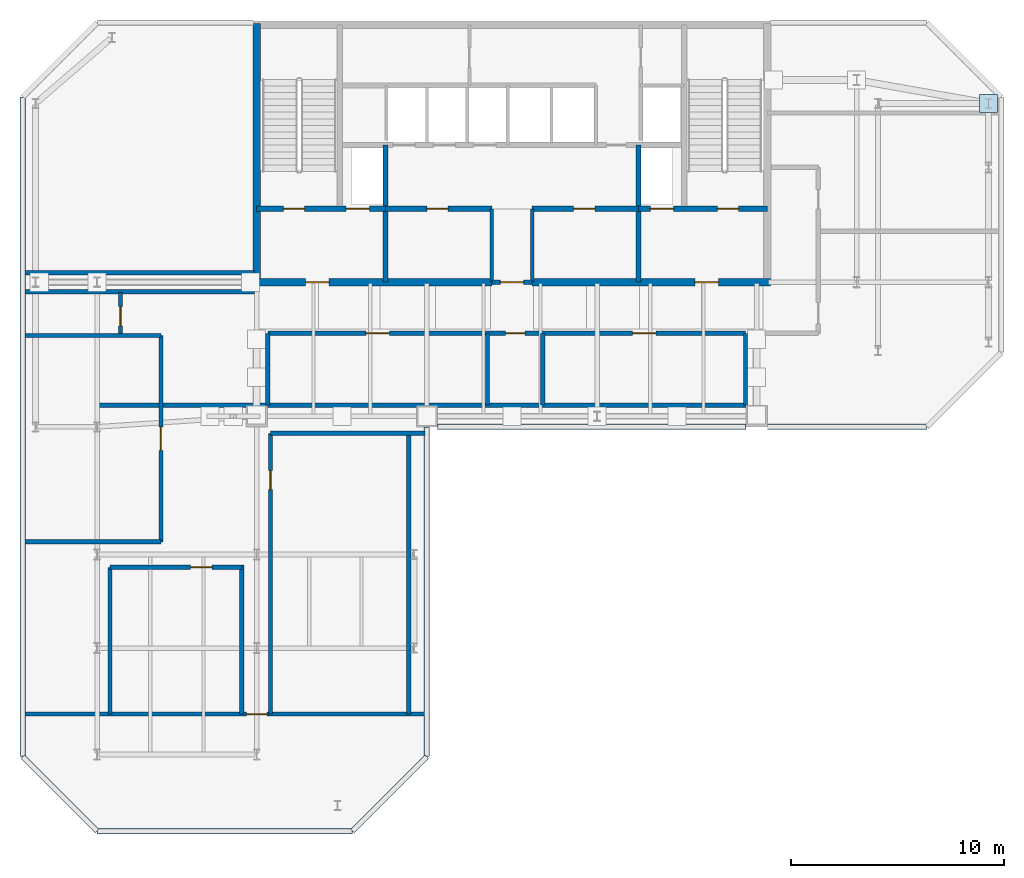
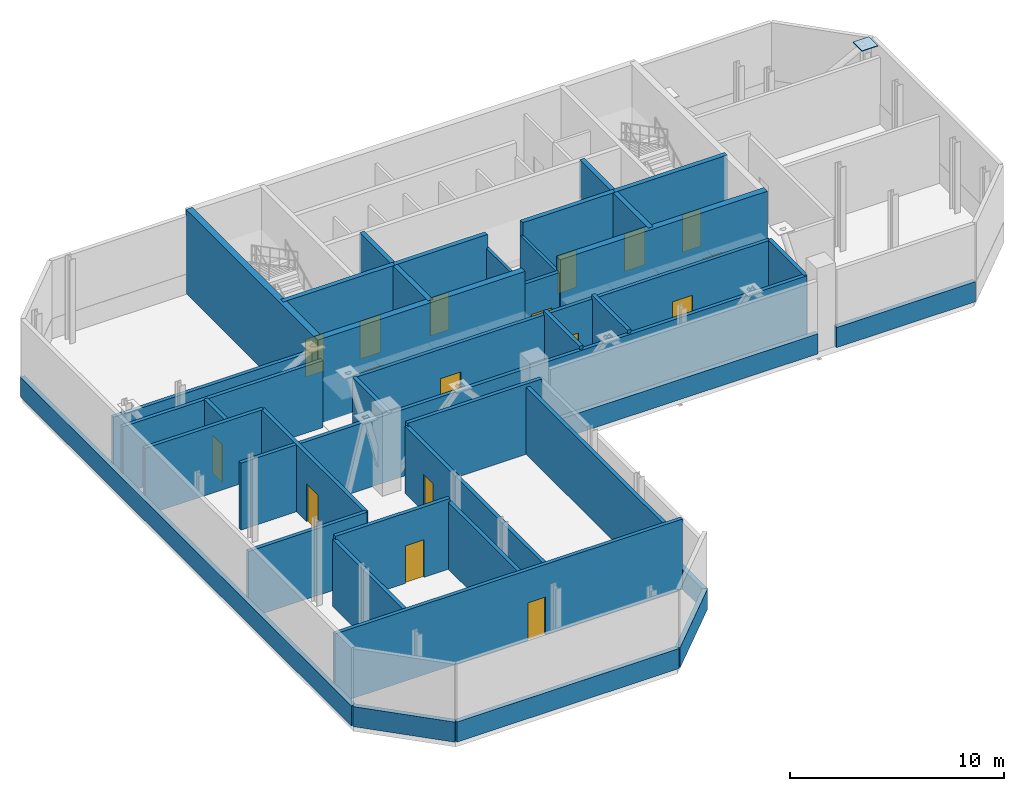
# One storey, part 4 of 7: 38 walls, 17 doors, 1 plate, 17 openings.
"""IFC4 building model written with IfcOpenShell, lengths in metres."""

from ifc_helpers import new_model, si_unit, direction, frame, frame_2d, origin, origin_2d, place, context, subcontext, project, spatial, rectangle, extrude, material, layer, layer_set, type_object, element, fill, save


model = new_model("IFC4")

# Units and contexts
model_context = context("Model", 3, precision=1e-05, world=origin(), true_north=direction((0.0, 1.0)))
body_context = subcontext(model_context, "Body", "Model", "MODEL_VIEW")
ifc_project = project(units=[si_unit("LENGTHUNIT", "METRE"), si_unit("AREAUNIT", "SQUARE_METRE"), si_unit("VOLUMEUNIT", "CUBIC_METRE"), si_unit("PLANEANGLEUNIT", "RADIAN"), si_unit("MASSUNIT", "GRAM", prefix="KILO")], contexts=[model_context])

# Site, building, storey
site_placement = place(None, origin())
site = spatial("IfcSite", under=ifc_project, at=site_placement, CompositionType="ELEMENT")
building_placement = place(site_placement, origin())
building = spatial("IfcBuilding", under=site, at=building_placement, Name="Catumbela Crestline Tower", CompositionType="ELEMENT")
storey_placement = place(building_placement, frame((0.0, 0.0, 208.2)))
storey = spatial("IfcBuildingStorey", under=building, at=storey_placement, Name="L54", CompositionType="ELEMENT", Elevation=208.2)

# Plate
ifc_material_1 = material(Name="Structural steel S460M", Category="steel")
ifc_layer_1 = layer(ifc_material_1, 0.04, Name="Structural steel S460M")
ifc_layer_set_1 = layer_set([ifc_layer_1], Name="Structural steel S460M")
plate_type = type_object("IfcPlateType", Name="GP-40", PredefinedType="USERDEFINED", material=ifc_layer_set_1)
plate_placement = place(storey_placement, frame((50.4, 39.2, 4.4), z_axis=(0.0, 0.0, 1.0), x_axis=(1.0, 0.0, 0.0)))
element("IfcPlate", 1, at=plate_placement, inside=storey, type_object=plate_type, Name="L54 Outrigger Node Gusset Plate OU-LE2-END", ObjectType="GUSSET", PredefinedType="USERDEFINED", context=body_context, shape_type="SweptSolid", body=[
    extrude(rectangle(XDim=0.85, YDim=0.85, at=origin_2d()), origin(), (0.0, 0.0, 1.0), 0.04),
])

# Walls
ifc_material_2 = material(Name="Concrete C50/60", Category="concrete")
ifc_layer_2 = layer(ifc_material_2, 0.25, Name="Concrete C50/60")
ifc_layer_set_2 = layer_set([ifc_layer_2], Name="Concrete C50/60")
wall_type_1 = type_object("IfcWallType", Name="CW-250D", PredefinedType="SHEAR", material=ifc_layer_set_2)
for number, where, z_axis, x_axis, name in (
    (2, (22.05, 30.8, 0.0), (0.0, 0.0, 1.0), (0.0, 1.0, 0.0), "L54 Structural Core Shear Wall FFW"),
    (3, (33.95, 30.8, 0.0), (0.0, 0.0, 1.0), (0.0, 1.0, 0.0), "L54 Structural Core Shear Wall FFE"),
):
    element("IfcWall", number, at=place(storey_placement, frame(where, z_axis=z_axis, x_axis=x_axis)), inside=storey, type_object=wall_type_1, Name=name, PredefinedType="SHEAR", context=body_context, shape_type="SweptSolid", body=[
        extrude(rectangle(XDim=6.45, YDim=0.25, at=frame_2d((3.225, 0.0))), origin(), (0.0, 0.0, 1.0), 4.8),
    ])

# Wall, openings, doors
wall_1_placement = place(storey_placement, frame((16.0, 34.25, 0.0), z_axis=(0.0, 0.0, 1.0), x_axis=(1.0, 0.0, 0.0)))
wall_1 = element("IfcWall", 4, at=wall_1_placement, inside=storey, type_object=wall_type_1, Name="L54 Structural Core Shear Wall ST1S", PredefinedType="SHEAR", context=body_context, shape_type="SweptSolid", body=[
    extrude(rectangle(XDim=6.05, YDim=0.25, at=frame_2d((3.025, 0.0))), origin(), (0.0, 0.0, 1.0), 4.8),
])
opening_1_placement = place(wall_1_placement, frame((1.25, 0.0, 0.0)))
opening_1 = element("IfcOpeningElement", 5, at=opening_1_placement, cuts=wall_1, Name="Opening DF9-100", PredefinedType="OPENING", context=body_context, shape_type="SweptSolid", body=[
    extrude(rectangle(XDim=1.0, YDim=2.15, at=frame_2d((0.5, 1.075))), frame((0.0, 0.135, 0.0), z_axis=(0.0, -1.0, 0.0), x_axis=(1.0, 0.0, 0.0)), (0.0, 0.0, 1.0), 0.27),
])
opening_2_placement = place(wall_1_placement, frame((4.2, 0.0, 0.0)))
opening_2 = element("IfcOpeningElement", 6, at=opening_2_placement, cuts=wall_1, Name="Opening LD-110", PredefinedType="OPENING", context=body_context, shape_type="SweptSolid", body=[
    extrude(rectangle(XDim=1.1, YDim=2.15, at=frame_2d((0.55, 1.075))), frame((0.0, 0.135, 0.0), z_axis=(0.0, -1.0, 0.0), x_axis=(1.0, 0.0, 0.0)), (0.0, 0.0, 1.0), 0.27),
])
ifc_material_3 = material(Name="Stainless steel EN 1.4401", Category="steel")
door_type_1 = type_object("IfcDoorType", Name="DF9-100", OperationType="NOTDEFINED", PredefinedType="DOOR", material=ifc_material_3)
door_1_placement = place(opening_1_placement, origin())
door_1 = element("IfcDoor", 7, at=door_1_placement, inside=storey, type_object=door_type_1, Name="L54 Interior Door DR-L54-ST01", OperationType="SINGLE_SWING_LEFT", OverallHeight=2.15, OverallWidth=1.0, PredefinedType="DOOR", context=body_context, shape_type="SweptSolid", body=[
    extrude(rectangle(XDim=1.0, YDim=2.15, at=frame_2d((0.5, 1.075))), frame((0.0, 0.025, 0.0), z_axis=(0.0, -1.0, 0.0), x_axis=(1.0, 0.0, 0.0)), (0.0, 0.0, 1.0), 0.05),
])
fill(opening_1, door_1)
door_type_2 = type_object("IfcDoorType", Name="LD-110", OperationType="NOTDEFINED", PredefinedType="DOOR", material=ifc_material_3)
door_2_placement = place(opening_2_placement, origin())
door_2 = element("IfcDoor", 8, at=door_2_placement, inside=storey, type_object=door_type_2, Name="L54 Lift Landing Sliding Door FL-01", OperationType="DOUBLE_DOOR_SLIDING", OverallHeight=2.15, OverallWidth=1.1, PredefinedType="DOOR", context=body_context, shape_type="SweptSolid", body=[
    extrude(rectangle(XDim=1.1, YDim=2.15, at=frame_2d((0.55, 1.075))), frame((0.0, 0.025, 0.0), z_axis=(0.0, -1.0, 0.0), x_axis=(1.0, 0.0, 0.0)), (0.0, 0.0, 1.0), 0.05),
])
fill(opening_2, door_2)

wall_2_placement = place(storey_placement, frame((33.95, 34.25, 0.0), z_axis=(0.0, 0.0, 1.0), x_axis=(1.0, 0.0, 0.0)))
wall_2 = element("IfcWall", 9, at=wall_2_placement, inside=storey, type_object=wall_type_1, Name="L54 Structural Core Shear Wall ST2S", PredefinedType="SHEAR", context=body_context, shape_type="SweptSolid", body=[
    extrude(rectangle(XDim=6.05, YDim=0.25, at=frame_2d((3.025, 0.0))), origin(), (0.0, 0.0, 1.0), 4.8),
])
opening_3_placement = place(wall_2_placement, frame((3.7, 0.0, 0.0)))
opening_3 = element("IfcOpeningElement", 10, at=opening_3_placement, cuts=wall_2, Name="Opening DF9-100", PredefinedType="OPENING", context=body_context, shape_type="SweptSolid", body=[
    extrude(rectangle(XDim=1.0, YDim=2.15, at=frame_2d((0.5, 1.075))), frame((0.0, 0.135, 0.0), z_axis=(0.0, -1.0, 0.0), x_axis=(1.0, 0.0, 0.0)), (0.0, 0.0, 1.0), 0.27),
])
opening_4_placement = place(wall_2_placement, frame((0.55, 0.0, 0.0)))
opening_4 = element("IfcOpeningElement", 11, at=opening_4_placement, cuts=wall_2, Name="Opening LD-110", PredefinedType="OPENING", context=body_context, shape_type="SweptSolid", body=[
    extrude(rectangle(XDim=1.1, YDim=2.15, at=frame_2d((0.55, 1.075))), frame((0.0, 0.135, 0.0), z_axis=(0.0, -1.0, 0.0), x_axis=(1.0, 0.0, 0.0)), (0.0, 0.0, 1.0), 0.27),
])
door_3_placement = place(opening_3_placement, origin())
door_3 = element("IfcDoor", 12, at=door_3_placement, inside=storey, type_object=door_type_1, Name="L54 Interior Door DR-L54-ST02", OperationType="SINGLE_SWING_RIGHT", OverallHeight=2.15, OverallWidth=1.0, PredefinedType="DOOR", context=body_context, shape_type="SweptSolid", body=[
    extrude(rectangle(XDim=1.0, YDim=2.15, at=frame_2d((0.5, 1.075))), frame((0.0, 0.025, 0.0), z_axis=(0.0, -1.0, 0.0), x_axis=(1.0, 0.0, 0.0)), (0.0, 0.0, 1.0), 0.05),
])
fill(opening_3, door_3)
door_4_placement = place(opening_4_placement, origin())
door_4 = element("IfcDoor", 13, at=door_4_placement, inside=storey, type_object=door_type_2, Name="L54 Lift Landing Sliding Door FL-02", OperationType="DOUBLE_DOOR_SLIDING", OverallHeight=2.15, OverallWidth=1.1, PredefinedType="DOOR", context=body_context, shape_type="SweptSolid", body=[
    extrude(rectangle(XDim=1.1, YDim=2.15, at=frame_2d((0.55, 1.075))), frame((0.0, 0.025, 0.0), z_axis=(0.0, -1.0, 0.0), x_axis=(1.0, 0.0, 0.0)), (0.0, 0.0, 1.0), 0.05),
])
fill(opening_4, door_4)

# Wall, opening, door
wall_3_placement = place(storey_placement, frame((22.05, 34.25, 0.0), z_axis=(0.0, 0.0, 1.0), x_axis=(1.0, 0.0, 0.0)))
wall_3 = element("IfcWall", 14, at=wall_3_placement, inside=storey, type_object=wall_type_1, Name="L54 Structural Core Shear Wall LIFTS-W", PredefinedType="SHEAR", context=body_context, shape_type="SweptSolid", body=[
    extrude(rectangle(XDim=5.0, YDim=0.25, at=frame_2d((2.5, 0.0))), origin(), (0.0, 0.0, 1.0), 4.8),
])
opening_5_placement = place(wall_3_placement, frame((1.95, 0.0, 0.0)))
opening_5 = element("IfcOpeningElement", 15, at=opening_5_placement, cuts=wall_3, Name="Opening DF9-100", PredefinedType="OPENING", context=body_context, shape_type="SweptSolid", body=[
    extrude(rectangle(XDim=1.0, YDim=2.15, at=frame_2d((0.5, 1.075))), frame((0.0, 0.135, 0.0), z_axis=(0.0, -1.0, 0.0), x_axis=(1.0, 0.0, 0.0)), (0.0, 0.0, 1.0), 0.27),
])
door_5_placement = place(opening_5_placement, origin())
door_5 = element("IfcDoor", 16, at=door_5_placement, inside=storey, type_object=door_type_1, Name="L54 Interior Door DR-L54-RECL1", OperationType="SINGLE_SWING_LEFT", OverallHeight=2.15, OverallWidth=1.0, PredefinedType="DOOR", context=body_context, shape_type="SweptSolid", body=[
    extrude(rectangle(XDim=1.0, YDim=2.15, at=frame_2d((0.5, 1.075))), frame((0.0, 0.025, 0.0), z_axis=(0.0, -1.0, 0.0), x_axis=(1.0, 0.0, 0.0)), (0.0, 0.0, 1.0), 0.05),
])
fill(opening_5, door_5)

wall_4_placement = place(storey_placement, frame((28.95, 34.25, 0.0), z_axis=(0.0, 0.0, 1.0), x_axis=(1.0, 0.0, 0.0)))
wall_4 = element("IfcWall", 17, at=wall_4_placement, inside=storey, type_object=wall_type_1, Name="L54 Structural Core Shear Wall LIFTS-E", PredefinedType="SHEAR", context=body_context, shape_type="SweptSolid", body=[
    extrude(rectangle(XDim=5.0, YDim=0.25, at=frame_2d((2.5, 0.0))), origin(), (0.0, 0.0, 1.0), 4.8),
])
opening_6_placement = place(wall_4_placement, frame((1.95, 0.0, 0.0)))
opening_6 = element("IfcOpeningElement", 18, at=opening_6_placement, cuts=wall_4, Name="Opening DF9-100", PredefinedType="OPENING", context=body_context, shape_type="SweptSolid", body=[
    extrude(rectangle(XDim=1.0, YDim=2.15, at=frame_2d((0.5, 1.075))), frame((0.0, 0.135, 0.0), z_axis=(0.0, -1.0, 0.0), x_axis=(1.0, 0.0, 0.0)), (0.0, 0.0, 1.0), 0.27),
])
door_6_placement = place(opening_6_placement, origin())
door_6 = element("IfcDoor", 19, at=door_6_placement, inside=storey, type_object=door_type_1, Name="L54 Interior Door DR-L54-RECL2", OperationType="SINGLE_SWING_RIGHT", OverallHeight=2.15, OverallWidth=1.0, PredefinedType="DOOR", context=body_context, shape_type="SweptSolid", body=[
    extrude(rectangle(XDim=1.0, YDim=2.15, at=frame_2d((0.5, 1.075))), frame((0.0, 0.025, 0.0), z_axis=(0.0, -1.0, 0.0), x_axis=(1.0, 0.0, 0.0)), (0.0, 0.0, 1.0), 0.05),
])
fill(opening_6, door_6)

# Wall
ifc_layer_3 = layer(ifc_material_2, 0.35, Name="Concrete C50/60")
ifc_layer_set_3 = layer_set([ifc_layer_3], Name="Concrete C50/60")
wall_type_2 = type_object("IfcWallType", Name="CW-350B", PredefinedType="SHEAR", material=ifc_layer_set_3)
wall_5_placement = place(storey_placement, frame((16.0, 30.65, 0.0), z_axis=(0.0, 0.0, 1.0), x_axis=(0.0, 1.0, 0.0)))
element("IfcWall", 20, at=wall_5_placement, inside=storey, type_object=wall_type_2, Name="L54 Structural Core Shear Wall W", PredefinedType="SHEAR", context=body_context, shape_type="SweptSolid", body=[
    extrude(rectangle(XDim=12.3, YDim=0.35, at=frame_2d((6.15, 0.0))), origin(), (0.0, 0.0, 1.0), 4.8),
])

# Wall, opening, door
wall_6_placement = place(storey_placement, frame((15.85, 30.8, 0.0), z_axis=(0.0, 0.0, 1.0), x_axis=(1.0, 0.0, 0.0)))
wall_6 = element("IfcWall", 21, at=wall_6_placement, inside=storey, type_object=wall_type_2, Name="L54 Structural Core Shear Wall SW", PredefinedType="SHEAR", context=body_context, shape_type="SweptSolid", body=[
    extrude(rectangle(XDim=11.2, YDim=0.35, at=frame_2d((5.6, 0.0))), origin(), (0.0, 0.0, 1.0), 4.8),
])
opening_7_placement = place(wall_6_placement, frame((2.45, 0.0, 0.0)))
opening_7 = element("IfcOpeningElement", 22, at=opening_7_placement, cuts=wall_6, Name="Opening DF9-110", PredefinedType="OPENING", context=body_context, shape_type="SweptSolid", body=[
    extrude(rectangle(XDim=1.1, YDim=2.15, at=frame_2d((0.55, 1.075))), frame((0.0, 0.185, 0.0), z_axis=(0.0, -1.0, 0.0), x_axis=(1.0, 0.0, 0.0)), (0.0, 0.0, 1.0), 0.37),
])
door_type_3 = type_object("IfcDoorType", Name="DF9-110", OperationType="NOTDEFINED", PredefinedType="DOOR", material=ifc_material_3)
door_7_placement = place(opening_7_placement, origin())
door_7 = element("IfcDoor", 23, at=door_7_placement, inside=storey, type_object=door_type_3, Name="L54 Interior Door DR-L54-FFW-S", OperationType="SINGLE_SWING_LEFT", OverallHeight=2.15, OverallWidth=1.1, PredefinedType="DOOR", context=body_context, shape_type="SweptSolid", body=[
    extrude(rectangle(XDim=1.1, YDim=2.15, at=frame_2d((0.55, 1.075))), frame((0.0, 0.025, 0.0), z_axis=(0.0, -1.0, 0.0), x_axis=(1.0, 0.0, 0.0)), (0.0, 0.0, 1.0), 0.05),
])
fill(opening_7, door_7)

wall_7_placement = place(storey_placement, frame((28.95, 30.8, 0.0), z_axis=(0.0, 0.0, 1.0), x_axis=(1.0, 0.0, 0.0)))
wall_7 = element("IfcWall", 24, at=wall_7_placement, inside=storey, type_object=wall_type_2, Name="L54 Structural Core Shear Wall SE", PredefinedType="SHEAR", context=body_context, shape_type="SweptSolid", body=[
    extrude(rectangle(XDim=11.2, YDim=0.35, at=frame_2d((5.6, 0.0))), origin(), (0.0, 0.0, 1.0), 4.8),
])
opening_8_placement = place(wall_7_placement, frame((7.65, 0.0, 0.0)))
opening_8 = element("IfcOpeningElement", 25, at=opening_8_placement, cuts=wall_7, Name="Opening DF9-110", PredefinedType="OPENING", context=body_context, shape_type="SweptSolid", body=[
    extrude(rectangle(XDim=1.1, YDim=2.15, at=frame_2d((0.55, 1.075))), frame((0.0, 0.185, 0.0), z_axis=(0.0, -1.0, 0.0), x_axis=(1.0, 0.0, 0.0)), (0.0, 0.0, 1.0), 0.37),
])
door_8_placement = place(opening_8_placement, origin())
door_8 = element("IfcDoor", 26, at=door_8_placement, inside=storey, type_object=door_type_3, Name="L54 Interior Door DR-L54-FFE-S", OperationType="SINGLE_SWING_RIGHT", OverallHeight=2.15, OverallWidth=1.1, PredefinedType="DOOR", context=body_context, shape_type="SweptSolid", body=[
    extrude(rectangle(XDim=1.1, YDim=2.15, at=frame_2d((0.55, 1.075))), frame((0.0, 0.025, 0.0), z_axis=(0.0, -1.0, 0.0), x_axis=(1.0, 0.0, 0.0)), (0.0, 0.0, 1.0), 0.05),
])
fill(opening_8, door_8)

ifc_material_4 = material(Name="Acoustic gypsum and mineral-wool partition")
ifc_layer_4 = layer(ifc_material_4, 0.2, Name="Acoustic gypsum and mineral-wool partition")
ifc_layer_set_4 = layer_set([ifc_layer_4], Name="Acoustic gypsum and mineral-wool partition")
wall_type_3 = type_object("IfcWallType", Name="WC-200", PredefinedType="PARTITIONING", material=ifc_layer_set_4)
wall_8_placement = place(storey_placement, frame((27.05, 30.8, 0.0), z_axis=(0.0, 0.0, 1.0), x_axis=(1.0, 0.0, 0.0)))
wall_8 = element("IfcWall", 27, at=wall_8_placement, inside=storey, type_object=wall_type_3, Name="L54 Interior Partition PW-L54-CLOBS", PredefinedType="PARTITIONING", context=body_context, shape_type="SweptSolid", body=[
    extrude(rectangle(XDim=1.9, YDim=0.2, at=frame_2d((0.95, 0.0))), origin(), (0.0, 0.0, 1.0), 4.02),
])
opening_9_placement = place(wall_8_placement, frame((0.4, 0.0, 0.0)))
opening_9 = element("IfcOpeningElement", 28, at=opening_9_placement, cuts=wall_8, Name="Opening DF9-110", PredefinedType="OPENING", context=body_context, shape_type="SweptSolid", body=[
    extrude(rectangle(XDim=1.1, YDim=2.15, at=frame_2d((0.55, 1.075))), frame((0.0, 0.11, 0.0), z_axis=(0.0, -1.0, 0.0), x_axis=(1.0, 0.0, 0.0)), (0.0, 0.0, 1.0), 0.22),
])
door_9_placement = place(opening_9_placement, origin())
door_9 = element("IfcDoor", 29, at=door_9_placement, inside=storey, type_object=door_type_3, Name="L54 Interior Door DR-L54-CLOBS", OperationType="SINGLE_SWING_LEFT", OverallHeight=2.15, OverallWidth=1.1, PredefinedType="DOOR", context=body_context, shape_type="SweptSolid", body=[
    extrude(rectangle(XDim=1.1, YDim=2.15, at=frame_2d((0.55, 1.075))), frame((0.0, 0.025, 0.0), z_axis=(0.0, -1.0, 0.0), x_axis=(1.0, 0.0, 0.0)), (0.0, 0.0, 1.0), 0.05),
])
fill(opening_9, door_9)

# Walls
wall_9_placement = place(storey_placement, frame((8.4, 25.02, 0.0), z_axis=(0.0, 0.0, 1.0), x_axis=(1.0, 0.0, 0.0)))
element("IfcWall", 30, at=wall_9_placement, inside=storey, type_object=wall_type_3, Name="L54 Interior Partition PW-L54-BTCAV-N", PredefinedType="PARTITIONING", context=body_context, shape_type="SweptSolid", body=[
    extrude(rectangle(XDim=30.6, YDim=0.2, at=frame_2d((15.3, 0.0))), origin(), (0.0, 0.0, 1.0), 3.83),
])
for number, where, z_axis, x_axis, name in (
    (31, (16.52, 25.02, 0.0), (0.0, 0.0, 1.0), (0.0, 1.0, 0.0), "L54 Interior Partition PW-L54-OUWCAV-E"),
    (32, (38.98, 25.02, 0.0), (0.0, 0.0, 1.0), (0.0, 1.0, 0.0), "L54 Interior Partition PW-L54-OUECAV-W"),
):
    element("IfcWall", number, at=place(storey_placement, frame(where, z_axis=z_axis, x_axis=x_axis)), inside=storey, type_object=wall_type_3, Name=name, PredefinedType="PARTITIONING", context=body_context, shape_type="SweptSolid", body=[
        extrude(rectangle(XDim=3.38, YDim=0.2, at=frame_2d((1.69, 0.0))), origin(), (0.0, 0.0, 1.0), 3.83),
    ])
for number, where, z_axis, x_axis, name in (
    (33, (5.1, 30.35, 0.0), (0.0, 0.0, 1.0), (1.0, 0.0, 0.0), "L54 Interior Partition PW-L54-OULWCAV-S"),
    (34, (5.1, 31.25, 0.0), (0.0, 0.0, 1.0), (1.0, 0.0, 0.0), "L54 Interior Partition PW-L54-OULWCAV-N"),
):
    element("IfcWall", number, at=place(storey_placement, frame(where, z_axis=z_axis, x_axis=x_axis)), inside=storey, type_object=wall_type_3, Name=name, PredefinedType="PARTITIONING", context=body_context, shape_type="SweptSolid", body=[
        extrude(rectangle(XDim=10.8, YDim=0.2, at=frame_2d((5.4, 0.0))), origin(), (0.0, 0.0, 1.0), 3.83),
    ])
for number, where, z_axis, x_axis, name in (
    (35, (26.85, 25.02, 0.0), (0.0, 0.0, 1.0), (0.0, 1.0, 0.0), "L54 Interior Partition PW-L54-REFW-E"),
    (36, (29.45, 25.02, 0.0), (0.0, 0.0, 1.0), (0.0, 1.0, 0.0), "L54 Interior Partition PW-L54-REFE-W"),
):
    element("IfcWall", number, at=place(storey_placement, frame(where, z_axis=z_axis, x_axis=x_axis)), inside=storey, type_object=wall_type_3, Name=name, PredefinedType="PARTITIONING", context=body_context, shape_type="SweptSolid", body=[
        extrude(rectangle(XDim=3.38, YDim=0.2, at=frame_2d((1.69, 0.0))), origin(), (0.0, 0.0, 1.0), 4.02),
    ])

# Wall, openings, doors
wall_10_placement = place(storey_placement, frame((16.52, 28.4, 0.0), z_axis=(0.0, 0.0, 1.0), x_axis=(1.0, 0.0, 0.0)))
wall_10 = element("IfcWall", 37, at=wall_10_placement, inside=storey, type_object=wall_type_3, Name="L54 Interior Partition PW-L54-REFW", PredefinedType="PARTITIONING", context=body_context, shape_type="SweptSolid", body=[
    extrude(rectangle(XDim=22.46, YDim=0.2, at=frame_2d((11.23, 0.0))), origin(), (0.0, 0.0, 1.0), 3.83),
])
opening_10_placement = place(wall_10_placement, frame((4.615, 0.0, 0.0)))
opening_10 = element("IfcOpeningElement", 38, at=opening_10_placement, cuts=wall_10, Name="Opening DF9-110", PredefinedType="OPENING", context=body_context, shape_type="SweptSolid", body=[
    extrude(rectangle(XDim=1.1, YDim=2.15, at=frame_2d((0.55, 1.075))), frame((0.0, 0.11, 0.0), z_axis=(0.0, -1.0, 0.0), x_axis=(1.0, 0.0, 0.0)), (0.0, 0.0, 1.0), 0.22),
])
opening_11_placement = place(wall_10_placement, frame((11.18, 0.0, 0.0)))
opening_11 = element("IfcOpeningElement", 39, at=opening_11_placement, cuts=wall_10, Name="Opening DF9-090", PredefinedType="OPENING", context=body_context, shape_type="SweptSolid", body=[
    extrude(rectangle(XDim=0.9, YDim=2.15, at=frame_2d((0.45, 1.075))), frame((0.0, 0.11, 0.0), z_axis=(0.0, -1.0, 0.0), x_axis=(1.0, 0.0, 0.0)), (0.0, 0.0, 1.0), 0.22),
])
opening_12_placement = place(wall_10_placement, frame((17.145, 0.0, 0.0)))
opening_12 = element("IfcOpeningElement", 40, at=opening_12_placement, cuts=wall_10, Name="Opening DF9-110", PredefinedType="OPENING", context=body_context, shape_type="SweptSolid", body=[
    extrude(rectangle(XDim=1.1, YDim=2.15, at=frame_2d((0.55, 1.075))), frame((0.0, 0.11, 0.0), z_axis=(0.0, -1.0, 0.0), x_axis=(1.0, 0.0, 0.0)), (0.0, 0.0, 1.0), 0.22),
])
door_type_4 = type_object("IfcDoorType", Name="DF9-090", OperationType="NOTDEFINED", PredefinedType="DOOR", material=ifc_material_3)
door_10_placement = place(opening_11_placement, origin())
door_10 = element("IfcDoor", 41, at=door_10_placement, inside=storey, type_object=door_type_4, Name="L54 Interior Door DR-L54-CHIL1", OperationType="SINGLE_SWING_LEFT", OverallHeight=2.15, OverallWidth=0.9, PredefinedType="DOOR", context=body_context, shape_type="SweptSolid", body=[
    extrude(rectangle(XDim=0.9, YDim=2.15, at=frame_2d((0.45, 1.075))), frame((0.0, 0.025, 0.0), z_axis=(0.0, -1.0, 0.0), x_axis=(1.0, 0.0, 0.0)), (0.0, 0.0, 1.0), 0.05),
])
fill(opening_11, door_10)
door_11_placement = place(opening_10_placement, origin())
door_11 = element("IfcDoor", 42, at=door_11_placement, inside=storey, type_object=door_type_3, Name="L54 Interior Door DR-L54-REFW", OperationType="SINGLE_SWING_LEFT", OverallHeight=2.15, OverallWidth=1.1, PredefinedType="DOOR", context=body_context, shape_type="SweptSolid", body=[
    extrude(rectangle(XDim=1.1, YDim=2.15, at=frame_2d((0.55, 1.075))), frame((0.0, 0.025, 0.0), z_axis=(0.0, -1.0, 0.0), x_axis=(1.0, 0.0, 0.0)), (0.0, 0.0, 1.0), 0.05),
])
fill(opening_10, door_11)
door_12_placement = place(opening_12_placement, origin())
door_12 = element("IfcDoor", 43, at=door_12_placement, inside=storey, type_object=door_type_3, Name="L54 Interior Door DR-L54-REFE", OperationType="SINGLE_SWING_RIGHT", OverallHeight=2.15, OverallWidth=1.1, PredefinedType="DOOR", context=body_context, shape_type="SweptSolid", body=[
    extrude(rectangle(XDim=1.1, YDim=2.15, at=frame_2d((0.55, 1.075))), frame((0.0, 0.025, 0.0), z_axis=(0.0, -1.0, 0.0), x_axis=(1.0, 0.0, 0.0)), (0.0, 0.0, 1.0), 0.05),
])
fill(opening_12, door_12)

# Walls
for number, where, z_axis, x_axis, name in (
    (44, (5.1, 28.3, 0.0), (0.0, 0.0, 1.0), (1.0, 0.0, 0.0), "L54 Interior Partition PW-L54-REFS1-N"),
    (45, (5.1, 18.6, 0.0), (0.0, 0.0, 1.0), (1.0, 0.0, 0.0), "L54 Interior Partition PW-L54-REFS1-S"),
):
    element("IfcWall", number, at=place(storey_placement, frame(where, z_axis=z_axis, x_axis=x_axis)), inside=storey, type_object=wall_type_3, Name=name, PredefinedType="PARTITIONING", context=body_context, shape_type="SweptSolid", body=[
        extrude(rectangle(XDim=6.4, YDim=0.2, at=frame_2d((3.2, 0.0))), origin(), (0.0, 0.0, 1.0), 3.83),
    ])

# Wall, opening, door
wall_11_placement = place(storey_placement, frame((11.5, 18.6, 0.0), z_axis=(0.0, 0.0, 1.0), x_axis=(0.0, 1.0, 0.0)))
wall_11 = element("IfcWall", 46, at=wall_11_placement, inside=storey, type_object=wall_type_3, Name="L54 Interior Partition PW-L54-REFS1-E", PredefinedType="PARTITIONING", context=body_context, shape_type="SweptSolid", body=[
    extrude(rectangle(XDim=9.7, YDim=0.2, at=frame_2d((4.85, 0.0))), origin(), (0.0, 0.0, 1.0), 3.83),
])
opening_13_placement = place(wall_11_placement, frame((4.3, 0.0, 0.0)))
opening_13 = element("IfcOpeningElement", 47, at=opening_13_placement, cuts=wall_11, Name="Opening DF9-110", PredefinedType="OPENING", context=body_context, shape_type="SweptSolid", body=[
    extrude(rectangle(XDim=1.1, YDim=2.15, at=frame_2d((0.55, 1.075))), frame((0.0, 0.11, 0.0), z_axis=(0.0, -1.0, 0.0), x_axis=(1.0, 0.0, 0.0)), (0.0, 0.0, 1.0), 0.22),
])
door_13_placement = place(opening_13_placement, origin())
door_13 = element("IfcDoor", 48, at=door_13_placement, inside=storey, type_object=door_type_3, Name="L54 Interior Door DR-L54-REFS1", OperationType="SINGLE_SWING_LEFT", OverallHeight=2.15, OverallWidth=1.1, PredefinedType="DOOR", context=body_context, shape_type="SweptSolid", body=[
    extrude(rectangle(XDim=1.1, YDim=2.15, at=frame_2d((0.55, 1.075))), frame((0.0, 0.025, 0.0), z_axis=(0.0, -1.0, 0.0), x_axis=(1.0, 0.0, 0.0)), (0.0, 0.0, 1.0), 0.05),
])
fill(opening_13, door_13)

# Walls
wall_12_placement = place(storey_placement, frame((16.65, 23.7, 0.0), z_axis=(0.0, 0.0, 1.0), x_axis=(1.0, 0.0, 0.0)))
element("IfcWall", 49, at=wall_12_placement, inside=storey, type_object=wall_type_3, Name="L54 Interior Partition PW-L54-REFS2-N", PredefinedType="PARTITIONING", context=body_context, shape_type="SweptSolid", body=[
    extrude(rectangle(XDim=7.25, YDim=0.2, at=frame_2d((3.625, 0.0))), origin(), (0.0, 0.0, 1.0), 4.02),
])
wall_13_placement = place(storey_placement, frame((23.15, 10.5, 0.0), z_axis=(0.0, 0.0, 1.0), x_axis=(0.0, 1.0, 0.0)))
element("IfcWall", 50, at=wall_13_placement, inside=storey, type_object=wall_type_3, Name="L54 Interior Partition PW-L54-REFS2-E", PredefinedType="PARTITIONING", context=body_context, shape_type="SweptSolid", body=[
    extrude(rectangle(XDim=13.2, YDim=0.2, at=frame_2d((6.6, 0.0))), origin(), (0.0, 0.0, 1.0), 3.83),
])

# Wall, opening, door
wall_14_placement = place(storey_placement, frame((5.1, 10.5, 0.0), z_axis=(0.0, 0.0, 1.0), x_axis=(1.0, 0.0, 0.0)))
wall_14 = element("IfcWall", 51, at=wall_14_placement, inside=storey, type_object=wall_type_3, Name="L54 Interior Partition PW-L54-REFS2-S", PredefinedType="PARTITIONING", context=body_context, shape_type="SweptSolid", body=[
    extrude(rectangle(XDim=18.8, YDim=0.2, at=frame_2d((9.4, 0.0))), origin(), (0.0, 0.0, 1.0), 4.02),
])
opening_14_placement = place(wall_14_placement, frame((10.425, 0.0, 0.0)))
opening_14 = element("IfcOpeningElement", 52, at=opening_14_placement, cuts=wall_14, Name="Opening DF6-095", PredefinedType="OPENING", context=body_context, shape_type="SweptSolid", body=[
    extrude(rectangle(XDim=0.95, YDim=2.15, at=frame_2d((0.475, 1.075))), frame((0.0, 0.11, 0.0), z_axis=(0.0, -1.0, 0.0), x_axis=(1.0, 0.0, 0.0)), (0.0, 0.0, 1.0), 0.22),
])
ifc_material_5 = material(Name="Aluminium alloy AW-6060-T66", Category="aluminium")
door_type_5 = type_object("IfcDoorType", Name="DF6-095", OperationType="NOTDEFINED", PredefinedType="DOOR", material=ifc_material_5)
door_14_placement = place(opening_14_placement, origin())
door_14 = element("IfcDoor", 53, at=door_14_placement, inside=storey, type_object=door_type_5, Name="L54 Interior Door DR-L54-TRFM-ENT", OperationType="SINGLE_SWING_RIGHT", OverallHeight=2.15, OverallWidth=0.95, PredefinedType="DOOR", context=body_context, shape_type="SweptSolid", body=[
    extrude(rectangle(XDim=0.95, YDim=2.15, at=frame_2d((0.475, 1.075))), frame((0.0, 0.025, 0.0), z_axis=(0.0, -1.0, 0.0), x_axis=(1.0, 0.0, 0.0)), (0.0, 0.0, 1.0), 0.05),
])
fill(opening_14, door_14)

wall_15_placement = place(storey_placement, frame((16.65, 10.5, 0.0), z_axis=(0.0, 0.0, 1.0), x_axis=(0.0, 1.0, 0.0)))
wall_15 = element("IfcWall", 54, at=wall_15_placement, inside=storey, type_object=wall_type_3, Name="L54 Interior Partition PW-L54-REFS2-W1", PredefinedType="PARTITIONING", context=body_context, shape_type="SweptSolid", body=[
    extrude(rectangle(XDim=13.2, YDim=0.2, at=frame_2d((6.6, 0.0))), origin(), (0.0, 0.0, 1.0), 3.83),
])
opening_15_placement = place(wall_15_placement, frame((10.55, 0.0, 0.0)))
opening_15 = element("IfcOpeningElement", 55, at=opening_15_placement, cuts=wall_15, Name="Opening DF9-090", PredefinedType="OPENING", context=body_context, shape_type="SweptSolid", body=[
    extrude(rectangle(XDim=0.9, YDim=2.15, at=frame_2d((0.45, 1.075))), frame((0.0, 0.11, 0.0), z_axis=(0.0, -1.0, 0.0), x_axis=(1.0, 0.0, 0.0)), (0.0, 0.0, 1.0), 0.22),
])
door_15_placement = place(opening_15_placement, origin())
door_15 = element("IfcDoor", 56, at=door_15_placement, inside=storey, type_object=door_type_4, Name="L54 Interior Door DR-L54-REFS2", OperationType="SINGLE_SWING_RIGHT", OverallHeight=2.15, OverallWidth=0.9, PredefinedType="DOOR", context=body_context, shape_type="SweptSolid", body=[
    extrude(rectangle(XDim=0.9, YDim=2.15, at=frame_2d((0.45, 1.075))), frame((0.0, 0.025, 0.0), z_axis=(0.0, -1.0, 0.0), x_axis=(1.0, 0.0, 0.0)), (0.0, 0.0, 1.0), 0.05),
])
fill(opening_15, door_15)

# Walls
wall_16_placement = place(storey_placement, frame((9.1, 10.5, 0.0), z_axis=(0.0, 0.0, 1.0), x_axis=(0.0, 1.0, 0.0)))
element("IfcWall", 57, at=wall_16_placement, inside=storey, type_object=wall_type_3, Name="L54 Interior Partition PW-L54-REFS3-W", PredefinedType="PARTITIONING", context=body_context, shape_type="SweptSolid", body=[
    extrude(rectangle(XDim=6.9, YDim=0.2, at=frame_2d((3.45, 0.0))), origin(), (0.0, 0.0, 1.0), 3.83),
])
wall_17_placement = place(storey_placement, frame((15.3, 10.5, 0.0), z_axis=(0.0, 0.0, 1.0), x_axis=(0.0, 1.0, 0.0)))
element("IfcWall", 58, at=wall_17_placement, inside=storey, type_object=wall_type_3, Name="L54 Interior Partition PW-L54-REFS3-E", PredefinedType="PARTITIONING", context=body_context, shape_type="SweptSolid", body=[
    extrude(rectangle(XDim=7.0, YDim=0.2, at=frame_2d((3.5, 0.0))), origin(), (0.0, 0.0, 1.0), 3.83),
])

# Wall, opening, door
wall_18_placement = place(storey_placement, frame((9.1, 17.4, 0.0), z_axis=(0.0, 0.0, 1.0), x_axis=(1.0, 0.0, 0.0)))
wall_18 = element("IfcWall", 59, at=wall_18_placement, inside=storey, type_object=wall_type_3, Name="L54 Interior Partition PW-L54-REFS3-N", PredefinedType="PARTITIONING", context=body_context, shape_type="SweptSolid", body=[
    extrude(rectangle(XDim=6.2, YDim=0.2, at=frame_2d((3.1, 0.0))), origin(), (0.0, 0.0, 1.0), 4.02),
])
opening_16_placement = place(wall_18_placement, frame((3.8, 0.0, 0.0)))
opening_16 = element("IfcOpeningElement", 60, at=opening_16_placement, cuts=wall_18, Name="Opening DF9-100", PredefinedType="OPENING", context=body_context, shape_type="SweptSolid", body=[
    extrude(rectangle(XDim=1.0, YDim=2.15, at=frame_2d((0.5, 1.075))), frame((0.0, 0.11, 0.0), z_axis=(0.0, -1.0, 0.0), x_axis=(1.0, 0.0, 0.0)), (0.0, 0.0, 1.0), 0.22),
])
door_16_placement = place(opening_16_placement, origin())
door_16 = element("IfcDoor", 61, at=door_16_placement, inside=storey, type_object=door_type_1, Name="L54 Interior Door DR-L54-REFS3", OperationType="SINGLE_SWING_RIGHT", OverallHeight=2.15, OverallWidth=1.0, PredefinedType="DOOR", context=body_context, shape_type="SweptSolid", body=[
    extrude(rectangle(XDim=1.0, YDim=2.15, at=frame_2d((0.5, 1.075))), frame((0.0, 0.025, 0.0), z_axis=(0.0, -1.0, 0.0), x_axis=(1.0, 0.0, 0.0)), (0.0, 0.0, 1.0), 0.05),
])
fill(opening_16, door_16)

wall_19_placement = place(storey_placement, frame((9.6, 28.4, 0.0), z_axis=(0.0, 0.0, 1.0), x_axis=(0.0, 1.0, 0.0)))
wall_19 = element("IfcWall", 62, at=wall_19_placement, inside=storey, type_object=wall_type_3, Name="L54 Interior Partition PW-L54-NWP", PredefinedType="PARTITIONING", context=body_context, shape_type="SweptSolid", body=[
    extrude(rectangle(XDim=1.92, YDim=0.2, at=frame_2d((0.96, 0.0))), origin(), (0.0, 0.0, 1.0), 3.83),
])
opening_17_placement = place(wall_19_placement, frame((0.348, 0.0, 0.0)))
opening_17 = element("IfcOpeningElement", 63, at=opening_17_placement, cuts=wall_19, Name="Opening DF9-090", PredefinedType="OPENING", context=body_context, shape_type="SweptSolid", body=[
    extrude(rectangle(XDim=0.9, YDim=2.15, at=frame_2d((0.45, 1.075))), frame((0.0, 0.11, 0.0), z_axis=(0.0, -1.0, 0.0), x_axis=(1.0, 0.0, 0.0)), (0.0, 0.0, 1.0), 0.22),
])
door_17_placement = place(opening_17_placement, origin())
door_17 = element("IfcDoor", 64, at=door_17_placement, inside=storey, type_object=door_type_4, Name="L54 Interior Door DR-L54-NWP", OperationType="SINGLE_SWING_LEFT", OverallHeight=2.15, OverallWidth=0.9, PredefinedType="DOOR", context=body_context, shape_type="SweptSolid", body=[
    extrude(rectangle(XDim=0.9, YDim=2.15, at=frame_2d((0.45, 1.075))), frame((0.0, 0.025, 0.0), z_axis=(0.0, -1.0, 0.0), x_axis=(1.0, 0.0, 0.0)), (0.0, 0.0, 1.0), 0.05),
])
fill(opening_17, door_17)

# Walls
ifc_material_6 = material(Name="Angolan grey-ochre granite", Category="masonry")
ifc_layer_5 = layer(ifc_material_6, 0.25, Name="Angolan grey-ochre granite")
ifc_layer_set_5 = layer_set([ifc_layer_5], Name="Angolan grey-ochre granite")
wall_type_4 = type_object("IfcWallType", Name="WE-250", PredefinedType="STANDARD", material=ifc_layer_set_5)
wall_20_placement = place(storey_placement, frame((8.5, 5.0, 0.0), z_axis=(0.0, 0.0, 1.0), x_axis=(1.0, 0.0, 0.0)))
element("IfcWall", 65, at=wall_20_placement, inside=storey, type_object=wall_type_4, Name="L54 Mechanical Spandrel Upstand Wall 0-1", PredefinedType="STANDARD", context=body_context, shape_type="SweptSolid", body=[
    extrude(rectangle(XDim=12.0, YDim=0.25, at=frame_2d((6.0, 0.0))), origin(), (0.0, 0.0, 1.0), 1.15),
])
wall_21_placement = place(storey_placement, frame((20.5, 5.0, 0.0), z_axis=(0.0, 0.0, 1.0), x_axis=(0.707106781187, 0.707106781187, 0.0)))
element("IfcWall", 66, at=wall_21_placement, inside=storey, type_object=wall_type_4, Name="L54 Mechanical Spandrel Upstand Wall 1-1", PredefinedType="STANDARD", context=body_context, shape_type="SweptSolid", body=[
    extrude(rectangle(XDim=4.9497, YDim=0.25, at=frame_2d((2.4748, 0.0))), origin(), (0.0, 0.0, 1.0), 1.15),
])
wall_22_placement = place(storey_placement, frame((24.0, 8.5, 0.0), z_axis=(0.0, 0.0, 1.0), x_axis=(0.0, 1.0, 0.0)))
element("IfcWall", 67, at=wall_22_placement, inside=storey, type_object=wall_type_4, Name="L54 Mechanical Spandrel Upstand Wall 2-1", PredefinedType="STANDARD", context=body_context, shape_type="SweptSolid", body=[
    extrude(rectangle(XDim=15.5, YDim=0.25, at=frame_2d((7.75, 0.0))), origin(), (0.0, 0.0, 1.0), 1.15),
])
wall_23_placement = place(storey_placement, frame((24.5, 24.0, 0.0), z_axis=(0.0, 0.0, 1.0), x_axis=(1.0, 0.0, 0.0)))
element("IfcWall", 68, at=wall_23_placement, inside=storey, type_object=wall_type_4, Name="L54 Mechanical Spandrel Upstand Wall 3-1", PredefinedType="STANDARD", context=body_context, shape_type="SweptSolid", body=[
    extrude(rectangle(XDim=14.5, YDim=0.25, at=frame_2d((7.25, 0.0))), origin(), (0.0, 0.0, 1.0), 1.15),
])
wall_24_placement = place(storey_placement, frame((40.0, 24.0, 0.0), z_axis=(0.0, 0.0, 1.0), x_axis=(1.0, 0.0, 0.0)))
element("IfcWall", 69, at=wall_24_placement, inside=storey, type_object=wall_type_4, Name="L54 Mechanical Spandrel Upstand Wall 3-2", PredefinedType="STANDARD", context=body_context, shape_type="SweptSolid", body=[
    extrude(rectangle(XDim=7.5, YDim=0.25, at=frame_2d((3.75, 0.0))), origin(), (0.0, 0.0, 1.0), 1.15),
])
wall_25_placement = place(storey_placement, frame((5.0, 39.5, 0.0), z_axis=(0.0, 0.0, 1.0), x_axis=(0.0, -1.0, 0.0)))
element("IfcWall", 70, at=wall_25_placement, inside=storey, type_object=wall_type_4, Name="L54 Mechanical Spandrel Upstand Wall 9-1", PredefinedType="STANDARD", context=body_context, shape_type="SweptSolid", body=[
    extrude(rectangle(XDim=31.0, YDim=0.25, at=frame_2d((15.5, 0.0))), origin(), (0.0, 0.0, 1.0), 1.15),
])
wall_26_placement = place(storey_placement, frame((5.0, 8.5, 0.0), z_axis=(0.0, 0.0, 1.0), x_axis=(0.707106781187, -0.707106781187, 0.0)))
element("IfcWall", 71, at=wall_26_placement, inside=storey, type_object=wall_type_4, Name="L54 Mechanical Spandrel Upstand Wall 10-1", PredefinedType="STANDARD", context=body_context, shape_type="SweptSolid", body=[
    extrude(rectangle(XDim=4.9497, YDim=0.25, at=frame_2d((2.4748, 0.0))), origin(), (0.0, 0.0, 1.0), 1.15),
])
ifc_layer_6 = layer(ifc_material_4, 0.15, Name="Acoustic gypsum and mineral-wool partition")
ifc_layer_set_6 = layer_set([ifc_layer_6], Name="Acoustic gypsum and mineral-wool partition")
wall_type_5 = type_object("IfcWallType", Name="WS-150", PredefinedType="PLUMBINGWALL", material=ifc_layer_set_6)
for number, where, z_axis, x_axis, name in (
    (72, (27.05, 30.8, 0.0), (0.0, 0.0, 1.0), (0.0, 1.0, 0.0), "L54 Interior Partition PW-L54-THRW"),
    (73, (28.95, 30.8, 0.0), (0.0, 0.0, 1.0), (0.0, 1.0, 0.0), "L54 Interior Partition PW-L54-THRE"),
):
    element("IfcWall", number, at=place(storey_placement, frame(where, z_axis=z_axis, x_axis=x_axis)), inside=storey, type_object=wall_type_5, Name=name, PredefinedType="PLUMBINGWALL", context=body_context, shape_type="SweptSolid", body=[
        extrude(rectangle(XDim=3.45, YDim=0.15, at=frame_2d((1.725, 0.0))), origin(), (0.0, 0.0, 1.0), 4.02),
    ])

save(model, "model.ifc")
